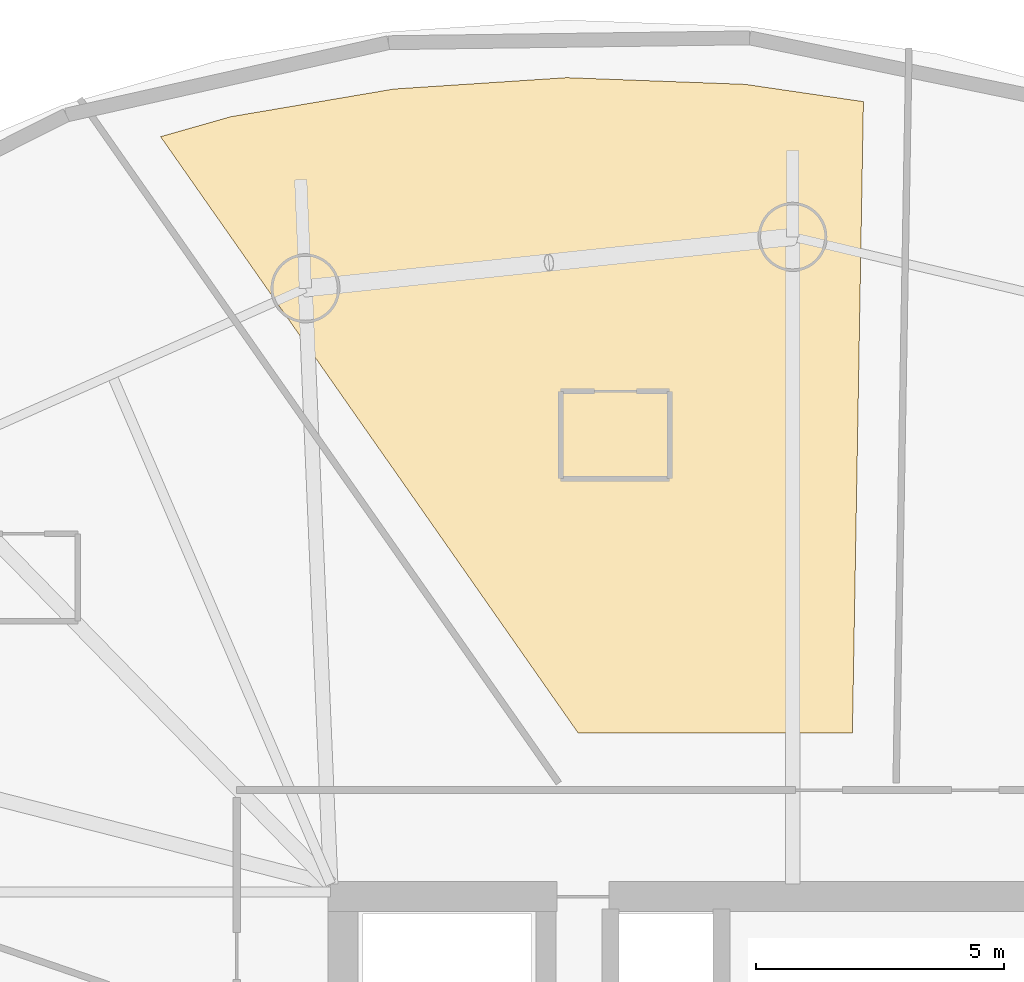
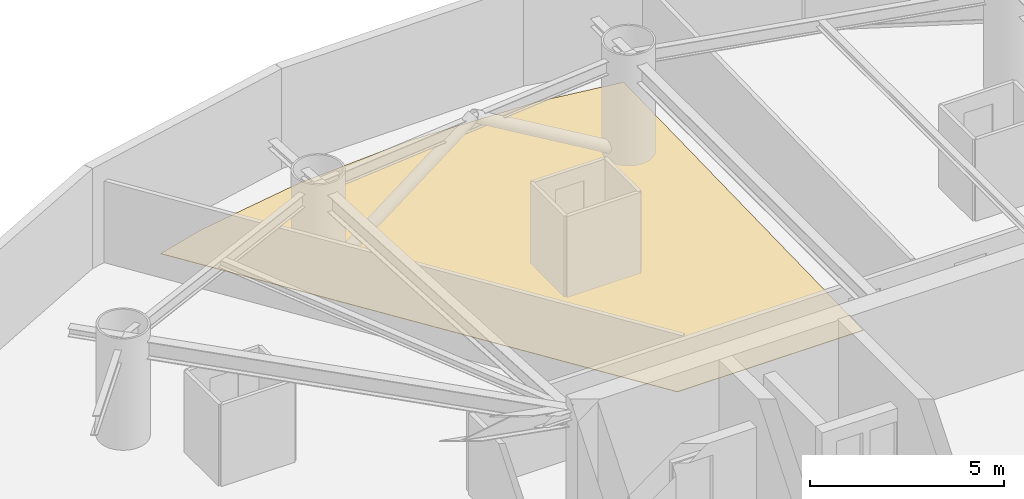
# One storey, part 21 of 21: 1 covering.
"""IFC4 building model written with IfcOpenShell, lengths in metres."""

import ifcopenshell
import ifcopenshell.guid

model = None  # the IFC model being written
_history = None  # IfcOwnerHistory: only IFC2X3 demands one
_inside = {}  # id of a spatial element -> (the spatial element, [elements in it])
_under = {}  # id of a project, library or spatial element -> (it, [spatial elements below it])
_declared = {}  # id of a project -> (the project, [libraries it declares])
_typed = {}  # id of a type object -> (the type object, [elements of that type])
_made_of = {}  # id of a material, layer set ... -> (it, [elements and type objects made of it])


def new_model(schema):
    """Start an empty IFC model of exactly this schema.

    Asked for "IFC4X3", IfcOpenShell would pick the latest addendum, in which some entities
    have other attributes; the version numbers below select the first issue.
    IFC2X3 requires an IfcOwnerHistory on every rooted entity: one is made here for all.
    """
    global model, _history
    if schema == "IFC4X3":
        model = ifcopenshell.file(schema_version=(4, 3, 0, 0))
    else:
        model = ifcopenshell.file(schema=schema)
    _inside.clear()
    _under.clear()
    _declared.clear()
    _typed.clear()
    _made_of.clear()
    _history = None
    if model.schema == "IFC2X3":
        org = make("IfcOrganization", Name="unknown")
        user = make(
            "IfcPersonAndOrganization",
            ThePerson=make("IfcPerson", FamilyName="unknown"),
            TheOrganization=org,
        )
        app = make(
            "IfcApplication",
            ApplicationDeveloper=org,
            Version="unknown",
            ApplicationFullName="unknown",
            ApplicationIdentifier="unknown",
        )
        _history = make(
            "IfcOwnerHistory",
            OwningUser=user,
            OwningApplication=app,
            ChangeAction="ADDED",
            CreationDate=0,
        )
    return model


def make(cls, **values):
    """One entity of the class cls with the attributes given. An attribute that is None is left unset."""
    return model.create_entity(
        cls, **{name: value for name, value in values.items() if value is not None}
    )


def rooted(cls, **values):
    """An entity with a GlobalId (a new one), such as an element, a storey or a relation."""
    return make(cls, GlobalId=ifcopenshell.guid.new(), OwnerHistory=_history, **values)


def si_unit(unit_type, name, prefix=None):
    """IfcSIUnit, for example si_unit("LENGTHUNIT", "METRE", prefix="MILLI")."""
    return make("IfcSIUnit", UnitType=unit_type, Prefix=prefix, Name=name)


def assignment(units):
    """IfcUnitAssignment: the units of a project."""
    return None if units is None else make("IfcUnitAssignment", Units=units)


def point(xyz):
    """IfcCartesianPoint."""
    return None if xyz is None else make("IfcCartesianPoint", Coordinates=xyz)


def direction(xyz):
    """IfcDirection."""
    return None if xyz is None else make("IfcDirection", DirectionRatios=xyz)


def frame(location, z_axis=None, x_axis=None):
    """IfcAxis2Placement3D, a coordinate frame: its origin and axes. An axis left out is left unset."""
    return make(
        "IfcAxis2Placement3D",
        Location=point(location),
        Axis=direction(z_axis),
        RefDirection=direction(x_axis),
    )


def origin():
    """The frame at (0, 0, 0) with its axes left unset."""
    return frame((0.0, 0.0, 0.0))


def place(relative_to, where):
    """IfcLocalPlacement: puts the frame where relative to a parent placement (None: the world)."""
    return make(
        "IfcLocalPlacement", PlacementRelTo=relative_to, RelativePlacement=where
    )


def context(
    kind, dimensions, precision=None, world=None, true_north=None, identifier=None
):
    """IfcGeometricRepresentationContext, for example the 3D "Model" context."""
    return make(
        "IfcGeometricRepresentationContext",
        ContextIdentifier=identifier,
        ContextType=kind,
        CoordinateSpaceDimension=dimensions,
        Precision=precision,
        WorldCoordinateSystem=world,
        TrueNorth=true_north,
    )


def subcontext(parent, identifier, kind, view, scale=None):
    """IfcGeometricRepresentationSubContext, for example "Body" below "Model"."""
    return make(
        "IfcGeometricRepresentationSubContext",
        ContextIdentifier=identifier,
        ContextType=kind,
        ParentContext=parent,
        TargetScale=scale,
        TargetView=view,
    )


def project(units=None, contexts=None):
    """IfcProject with its units and contexts."""
    return rooted(
        "IfcProject",
        Name="project",
        RepresentationContexts=contexts,
        UnitsInContext=assignment(units),
    )


def spatial(cls, under=None, at=None, **own):
    """A site, building, storey or space (cls), placed at a placement, below another one or the project."""
    s = rooted(cls, ObjectPlacement=at, **own)
    if under is not None:
        _under.setdefault(under.id(), (under, []))[1].append(s)
    return s


def polyline(points):
    """IfcPolyline through the points."""
    return make("IfcPolyline", Points=[point(p) for p in points])


def outline(outer, holes=None, kind="AREA"):
    """IfcArbitraryClosedProfileDef: a profile drawn as a closed curve; with holes, ...WithVoids."""
    if holes is None:
        return make("IfcArbitraryClosedProfileDef", ProfileType=kind, OuterCurve=outer)
    return make(
        "IfcArbitraryProfileDefWithVoids",
        ProfileType=kind,
        OuterCurve=outer,
        InnerCurves=holes,
    )


def extrude(swept, where, along, depth):
    """IfcExtrudedAreaSolid: the profile swept, set in the frame where, extruded along a direction by depth."""
    return make(
        "IfcExtrudedAreaSolid",
        SweptArea=swept,
        Position=where,
        ExtrudedDirection=direction(along),
        Depth=depth,
    )


def shape(context_of_items, identifier, shape_type, items):
    """IfcShapeRepresentation: the items that make up one representation, for example the "Body"."""
    return make(
        "IfcShapeRepresentation",
        ContextOfItems=context_of_items,
        RepresentationIdentifier=identifier,
        RepresentationType=shape_type,
        Items=items,
    )


def material(Name=None, Category=None):
    """IfcMaterial."""
    return make("IfcMaterial", Name=Name, Category=Category)


def layer(
    of_material, thickness, ventilated=None, Name=None, Category=None, Priority=None
):
    """IfcMaterialLayer: one layer of a wall or slab, of a material (None: an air gap)."""
    return make(
        "IfcMaterialLayer",
        Material=of_material,
        LayerThickness=thickness,
        IsVentilated=ventilated,
        Name=Name,
        Category=Category,
        Priority=Priority,
    )


def layer_set(layers, Name=None):
    """IfcMaterialLayerSet."""
    return make("IfcMaterialLayerSet", MaterialLayers=layers, LayerSetName=Name)


def made_of(thing, what):
    """Note that an element or type object is made of a material, layer set ...; save() writes the relation."""
    if what is not None:
        _made_of.setdefault(what.id(), (what, []))[1].append(thing)
    return thing


def type_object(cls, material=None, **own):
    """A type object (cls), such as IfcWallType, which elements share."""
    return made_of(rooted(cls, **own), material)


def element(
    cls,
    number,
    at=None,
    inside=None,
    cuts=None,
    type_object=None,
    material=None,
    context=None,
    identifier="Body",
    shape_type=None,
    held_by="IfcProductDefinitionShape",
    body=None,
    shapes=None,
    **own,
):
    """One element of the class cls, such as IfcWall. Its Tag is "e" and its number.

    at: its placement. inside: the storey or other place that contains it. cuts: it is an
    opening in that element (IfcRelVoidsElement). A single representation is given by context,
    identifier, shape_type and body (its items); several are given by shapes. held_by: the class
    of the entity that holds the representations. save() writes the other relations.
    """
    e = rooted(cls, Tag="e%d" % number, ObjectPlacement=at, **own)
    if body is not None:
        shapes = [shape(context, identifier, shape_type, body)]
    if shapes is not None:
        e.Representation = make(held_by, Representations=shapes)
    if inside is not None:
        _inside.setdefault(inside.id(), (inside, []))[1].append(e)
    if cuts is not None:
        rooted(
            "IfcRelVoidsElement", RelatingBuildingElement=cuts, RelatedOpeningElement=e
        )
    if type_object is not None:
        _typed.setdefault(type_object.id(), (type_object, []))[1].append(e)
    return made_of(e, material)


def aggregate(whole, parts):
    """IfcRelAggregates: a whole, such as a stair, and the parts it consists of."""
    return rooted("IfcRelAggregates", RelatingObject=whole, RelatedObjects=parts)


def save(model, path):
    """Write the relations noted so far, then the file.

    IfcRelAggregates (storeys below a building ...), IfcRelContainedInSpatialStructure (elements
    in a storey), IfcRelDefinesByType, IfcRelAssociatesMaterial and IfcRelDeclares: one each for
    every whole, place, type object, material and project.
    """
    for whole, parts in _under.values():
        aggregate(whole, parts)
    for where, things in _inside.values():
        rooted(
            "IfcRelContainedInSpatialStructure",
            RelatedElements=things,
            RelatingStructure=where,
        )
    for kind, things in _typed.values():
        rooted("IfcRelDefinesByType", RelatedObjects=things, RelatingType=kind)
    for what, things in _made_of.values():
        rooted("IfcRelAssociatesMaterial", RelatedObjects=things, RelatingMaterial=what)
    for by, libraries in _declared.values():
        rooted("IfcRelDeclares", RelatingContext=by, RelatedDefinitions=libraries)
    model.write(path)


model = new_model("IFC4")

# Units and contexts
model_context = context("Model", 3, precision=1e-05, world=origin(), true_north=direction((0.0, 1.0)))
body_context = subcontext(model_context, "Body", "Model", "MODEL_VIEW")
ifc_project = project(units=[si_unit("LENGTHUNIT", "METRE"), si_unit("AREAUNIT", "SQUARE_METRE"), si_unit("VOLUMEUNIT", "CUBIC_METRE"), si_unit("PLANEANGLEUNIT", "RADIAN"), si_unit("MASSUNIT", "GRAM", prefix="KILO")], contexts=[model_context])

# Site, building, storey
site_placement = place(None, origin())
site = spatial("IfcSite", under=ifc_project, at=site_placement, CompositionType="ELEMENT")
building_placement = place(site_placement, origin())
building = spatial("IfcBuilding", under=site, at=building_placement, Name="Bramvorn Convention Spire", CompositionType="ELEMENT")
storey_placement = place(building_placement, frame((0.0, 0.0, 162.300048828125)))
storey = spatial("IfcBuildingStorey", under=building, at=storey_placement, Name="L41", CompositionType="ELEMENT", Elevation=162.300048828125)

# Covering
ifc_material = material(Name="Solution-Dyed Wool Broadloom Hospitality Carpet", Category="textile")
ifc_layer = layer(ifc_material, 0.014892578125)
ifc_layer_set = layer_set([ifc_layer], Name="Solution-Dyed Wool Broadloom Hospitality Carpet - FLR-CARPET-15")
covering_type = type_object("IfcCoveringType", Name="FLR-CARPET-15", PredefinedType="FLOORING", material=ifc_layer_set)
covering_placement = place(storey_placement, origin())
element("IfcCovering", 1, at=covering_placement, inside=storey, type_object=covering_type, Name="Hotel Suite 4103 wool broadloom carpet", PredefinedType="FLOORING", context=body_context, shape_type="SweptSolid", body=[
    extrude(outline(polyline([(24.739013671875, 48.944091796875), (23.31591796875, 48.540283203125), (31.74658203125, 36.5), (37.283203125, 36.5), (37.505615234375, 49.247314453125), (35.11962890625, 49.5966796875), (31.515625, 49.731689453125), (28.027099609375, 49.50244140625), (24.739013671875, 48.944091796875)])), origin(), (0.0, 0.0, 1.0), 0.014892578125),
])

save(model, "model.ifc")
